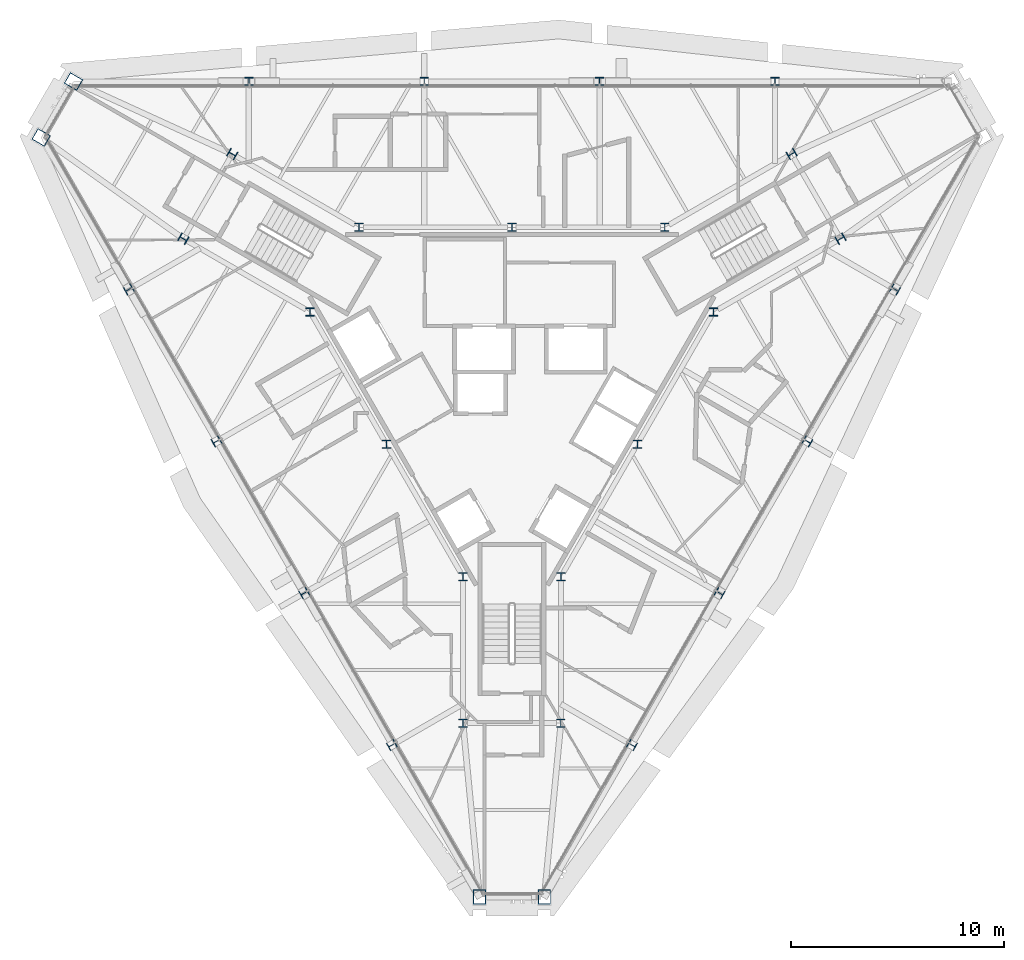
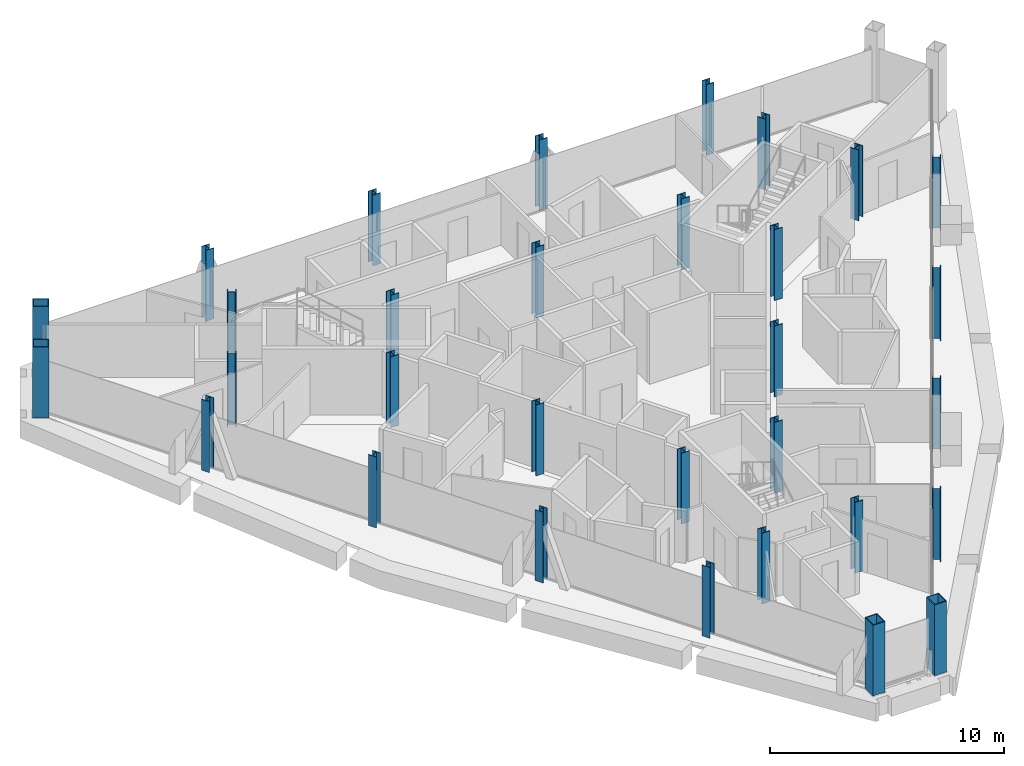
# One storey, part 1 of 13: 31 columns.
"""IFC4 building model written with IfcOpenShell, lengths in metres."""

from ifc_helpers import new_model, si_unit, direction, frame, origin, origin_2d, place, context, subcontext, project, spatial, hollow_rectangle, i_section, extrude, material, material_profile, profile_set, type_object, element, save


model = new_model("IFC4")

# Units and contexts
model_context = context("Model", 3, precision=1e-05, world=origin(), true_north=direction((0.0, 1.0)))
body_context = subcontext(model_context, "Body", "Model", "MODEL_VIEW")
ifc_project = project(units=[si_unit("LENGTHUNIT", "METRE"), si_unit("AREAUNIT", "SQUARE_METRE"), si_unit("VOLUMEUNIT", "CUBIC_METRE"), si_unit("PLANEANGLEUNIT", "RADIAN"), si_unit("MASSUNIT", "GRAM", prefix="KILO")], contexts=[model_context])

# Site, building, storey
site_placement = place(None, origin())
site = spatial("IfcSite", under=ifc_project, at=site_placement, CompositionType="ELEMENT")
building_placement = place(site_placement, origin())
building = spatial("IfcBuilding", under=site, at=building_placement, Name="Verrane Prism Tower", CompositionType="ELEMENT")
storey_placement = place(building_placement, frame((0.0, 0.0, 282.5)))
storey = spatial("IfcBuildingStorey", under=building, at=storey_placement, Name="L71", CompositionType="ELEMENT", Elevation=282.5)

# Columns
ifc_material_1 = material(Name="Steel A992", Category="steel")
ifc_material_profile_1 = material_profile(ifc_material_1, i_section(OverallWidth=0.4013671875, OverallDepth=0.398681640625, WebThickness=0.02490234375, FlangeThickness=0.03955078125, FilletRadius=0.01513671875, at=origin_2d()), Name="W14x211")
ifc_profile_set_1 = profile_set([ifc_material_profile_1], Name="Steel A992")
column_type_1 = type_object("IfcColumnType", Name="Core corner column W14x211", PredefinedType="COLUMN", material=ifc_profile_set_1)
for number, where, z_axis, x_axis, name in (
    (1, (15.43994140625, 6.260009765625, 0.0), (0.0, 0.0, 1.0), (0.5, -0.866025403784, 0.0), "Core corner column CK-NEm L71"),
    (2, (13.139892578125, 10.239990234375, 0.0), (0.0, 0.0, 1.0), (0.5, -0.866025403784, 0.0), "Core corner column CK-NEp L71"),
    (3, (-13.139892578125, 10.239990234375, 0.0), (0.0, 0.0, 1.0), (0.5, 0.866025403784, 0.0), "Core corner column CK-NWm L71"),
    (4, (-15.43994140625, 6.260009765625, 0.0), (0.0, 0.0, 1.0), (0.5, 0.866025403784, 0.0), "Core corner column CK-NWp L71"),
    (5, (-2.300048828125, -16.5, 0.0), (0.0, 0.0, 1.0), (-1.0, 0.0, 0.0), "Core corner column CK-Sm L71"),
    (6, (2.300048828125, -16.5, 0.0), (0.0, 0.0, 1.0), (-1.0, 0.0, 0.0), "Core corner column CK-Sp L71"),
):
    element("IfcColumn", number, at=place(storey_placement, frame(where, z_axis=z_axis, x_axis=x_axis)), inside=storey, type_object=column_type_1, Name=name, PredefinedType="COLUMN", context=body_context, shape_type="SweptSolid", body=[
        extrude(i_section(OverallWidth=0.4013671875, OverallDepth=0.398681640625, WebThickness=0.02490234375, FlangeThickness=0.03955078125, FilletRadius=0.01513671875, at=origin_2d()), origin(), (0.0, 0.0, 1.0), 3.699951171875),
    ])
ifc_material_2 = material(Name="Steel A992", Category="steel")
ifc_material_profile_2 = material_profile(ifc_material_2, i_section(OverallWidth=0.398681640625, OverallDepth=0.385986328125, WebThickness=0.02099609375, FlangeThickness=0.033203125, FilletRadius=0.01513671875, at=origin_2d()), Name="W14x176")
ifc_profile_set_2 = profile_set([ifc_material_profile_2], Name="Steel A992")
column_type_2 = type_object("IfcColumnType", Name="Core side column W14x176", PredefinedType="COLUMN", material=ifc_profile_set_2)
for number, where, z_axis, x_axis, name in (
    (7, (9.47998046875, 2.820068359375, 0.0), (0.0, 0.0, 1.0), (1.0, 0.0, 0.0), "Core side column CC-NEm L71"),
    (8, (7.179931640625, 6.800048828125, 0.0), (0.0, 0.0, 1.0), (1.0, 0.0, 0.0), "Core side column CC-NEp L71"),
    (9, (0.0, 6.800048828125, 0.0), (0.0, 0.0, 1.0), (1.0, 0.0, 0.0), "Core side column CC-N0 L71"),
    (10, (-7.179931640625, 6.800048828125, 0.0), (0.0, 0.0, 1.0), (1.0, 0.0, 0.0), "Core side column CC-NWm L71"),
    (11, (-9.47998046875, 2.820068359375, 0.0), (0.0, 0.0, 1.0), (1.0, 0.0, 0.0), "Core side column CC-NWp L71"),
    (12, (-5.889892578125, -3.39990234375, 0.0), (0.0, 0.0, 1.0), (1.0, 0.0, 0.0), "Core side column CC-SW0 L71"),
    (13, (-2.300048828125, -9.6201171875, 0.0), (0.0, 0.0, 1.0), (1.0, 0.0, 0.0), "Core side column CC-Sm L71"),
    (14, (2.300048828125, -9.6201171875, 0.0), (0.0, 0.0, 1.0), (1.0, 0.0, 0.0), "Core side column CC-Sp L71"),
    (15, (5.889892578125, -3.39990234375, 0.0), (0.0, 0.0, 1.0), (1.0, 0.0, 0.0), "Core side column CC-SE0 L71"),
):
    element("IfcColumn", number, at=place(storey_placement, frame(where, z_axis=z_axis, x_axis=x_axis)), inside=storey, type_object=column_type_2, Name=name, PredefinedType="COLUMN", context=body_context, shape_type="SweptSolid", body=[
        extrude(i_section(OverallWidth=0.398681640625, OverallDepth=0.385986328125, WebThickness=0.02099609375, FlangeThickness=0.033203125, FilletRadius=0.01513671875, at=origin_2d()), origin(), (0.0, 0.0, 1.0), 3.699951171875),
    ])
ifc_material_3 = material(Name="Steel A572 Grade 50", Category="steel")
ifc_material_profile_3 = material_profile(ifc_material_3, hollow_rectangle(XDim=0.60009765625, YDim=0.699951171875, WallThickness=0.0400390625, at=origin_2d()), Name="BOX 700x600x40")
ifc_profile_set_3 = profile_set([ifc_material_profile_3], Name="Steel A572 Grade 50")
column_type_3 = type_object("IfcColumnType", Name="Megacolumn BOX 700x600x40", PredefinedType="COLUMN", material=ifc_profile_set_3)
for number, where, z_axis, x_axis, name in (
    (16, (-20.60009765625, 13.64990234375, 0.0), (0.0, 0.0, 1.0), (0.5, 0.866025403784, 0.0), "Megacolumn MC-NW.a L71"),
    (17, (-22.1201171875, 11.02001953125, 0.0), (0.0, 0.0, 1.0), (0.5, 0.866025403784, 0.0), "Megacolumn MC-NW.b L71"),
    (18, (-1.52001953125, -24.669921875, 0.0), (0.0, 0.0, 1.0), (-1.0, 0.0, 0.0), "Megacolumn MC-S.a L71"),
    (19, (1.52001953125, -24.669921875, 0.0), (0.0, 0.0, 1.0), (-1.0, 0.0, 0.0), "Megacolumn MC-S.b L71"),
):
    element("IfcColumn", number, at=place(storey_placement, frame(where, z_axis=z_axis, x_axis=x_axis)), inside=storey, type_object=column_type_3, Name=name, PredefinedType="COLUMN", context=body_context, shape_type="SweptSolid", body=[
        extrude(hollow_rectangle(XDim=0.60009765625, YDim=0.699951171875, WallThickness=0.0400390625, at=origin_2d()), origin(), (0.0, 0.0, 1.0), 3.699951171875),
    ])
ifc_material_4 = material(Name="Steel A992", Category="steel")
ifc_material_profile_4 = material_profile(ifc_material_4, i_section(OverallWidth=0.393798828125, OverallDepth=0.3759765625, WebThickness=0.017333984375, FlangeThickness=0.027587890625, FilletRadius=0.01513671875, at=origin_2d()), Name="W14x145")
ifc_profile_set_4 = profile_set([ifc_material_profile_4], Name="Steel A992")
column_type_4 = type_object("IfcColumnType", Name="Perimeter column W14x145", PredefinedType="COLUMN", material=ifc_profile_set_4)
for number, where, z_axis, x_axis, name in (
    (20, (12.360107421875, 13.64990234375, 0.0), (0.0, 0.0, 1.0), (1.0, 0.0, 0.0), "Perimeter column PC-N1 L71"),
    (21, (4.1201171875, 13.64990234375, 0.0), (0.0, 0.0, 1.0), (1.0, 0.0, 0.0), "Perimeter column PC-N2 L71"),
    (22, (-4.1201171875, 13.64990234375, 0.0), (0.0, 0.0, 1.0), (1.0, 0.0, 0.0), "Perimeter column PC-N3 L71"),
    (23, (-12.360107421875, 13.64990234375, 0.0), (0.0, 0.0, 1.0), (1.0, 0.0, 0.0), "Perimeter column PC-N4 L71"),
    (24, (-18.0, 3.8798828125, 0.0), (0.0, 0.0, 1.0), (-0.5, 0.866025403784, 0.0), "Perimeter column PC-SW1 L71"),
    (25, (-13.8798828125, -3.260009765625, 0.0), (0.0, 0.0, 1.0), (-0.5, 0.866025403784, 0.0), "Perimeter column PC-SW2 L71"),
    (26, (-9.760009765625, -10.389892578125, 0.0), (0.0, 0.0, 1.0), (-0.5, 0.866025403784, 0.0), "Perimeter column PC-SW3 L71"),
    (27, (-5.639892578125, -17.530029296875, 0.0), (0.0, 0.0, 1.0), (-0.5, 0.866025403784, 0.0), "Perimeter column PC-SW4 L71"),
    (28, (5.639892578125, -17.530029296875, 0.0), (0.0, 0.0, 1.0), (-0.5, -0.866025403784, 0.0), "Perimeter column PC-SE1 L71"),
    (29, (9.760009765625, -10.389892578125, 0.0), (0.0, 0.0, 1.0), (-0.5, -0.866025403784, 0.0), "Perimeter column PC-SE2 L71"),
    (30, (13.8798828125, -3.260009765625, 0.0), (0.0, 0.0, 1.0), (-0.5, -0.866025403784, 0.0), "Perimeter column PC-SE3 L71"),
    (31, (18.0, 3.8798828125, 0.0), (0.0, 0.0, 1.0), (-0.5, -0.866025403784, 0.0), "Perimeter column PC-SE4 L71"),
):
    element("IfcColumn", number, at=place(storey_placement, frame(where, z_axis=z_axis, x_axis=x_axis)), inside=storey, type_object=column_type_4, Name=name, PredefinedType="COLUMN", context=body_context, shape_type="SweptSolid", body=[
        extrude(i_section(OverallWidth=0.393798828125, OverallDepth=0.3759765625, WebThickness=0.017333984375, FlangeThickness=0.027587890625, FilletRadius=0.01513671875, at=origin_2d()), origin(), (0.0, 0.0, 1.0), 3.699951171875),
    ])

save(model, "model.ifc")
